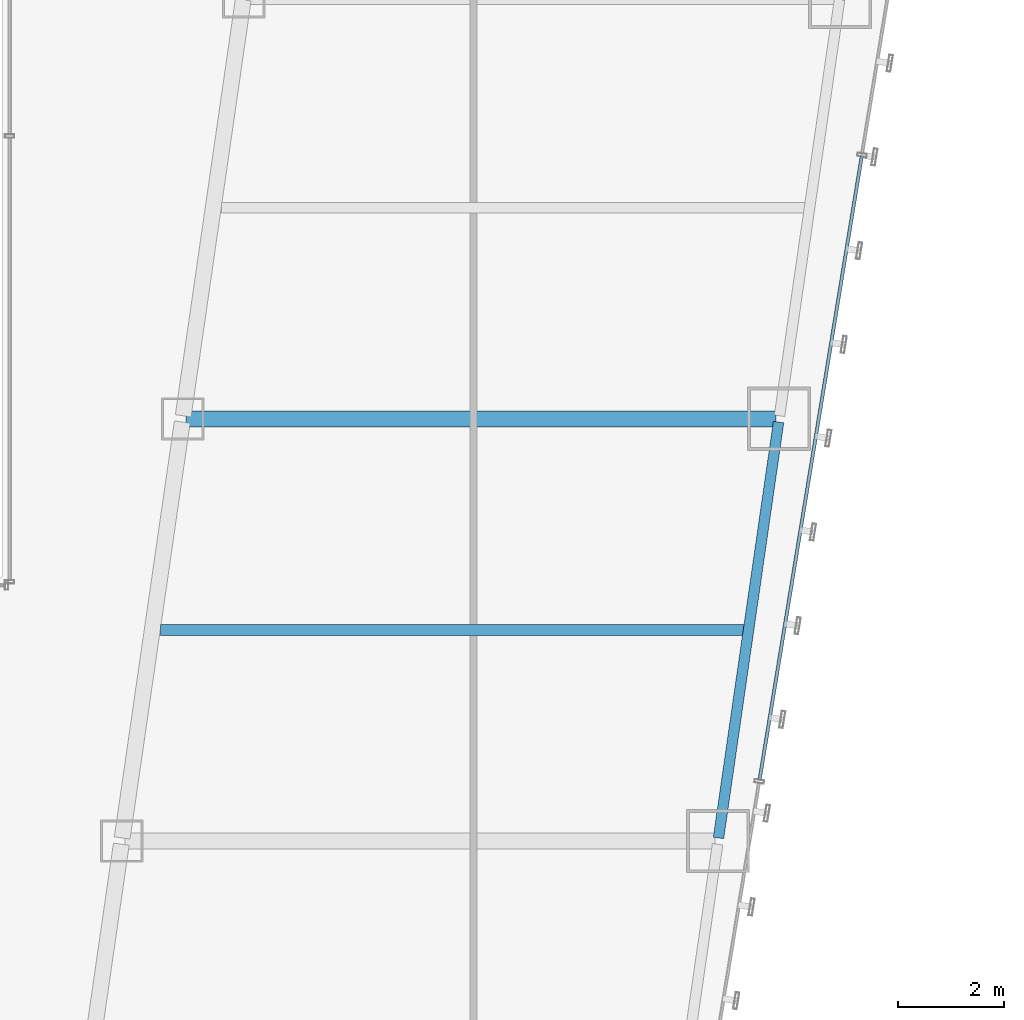
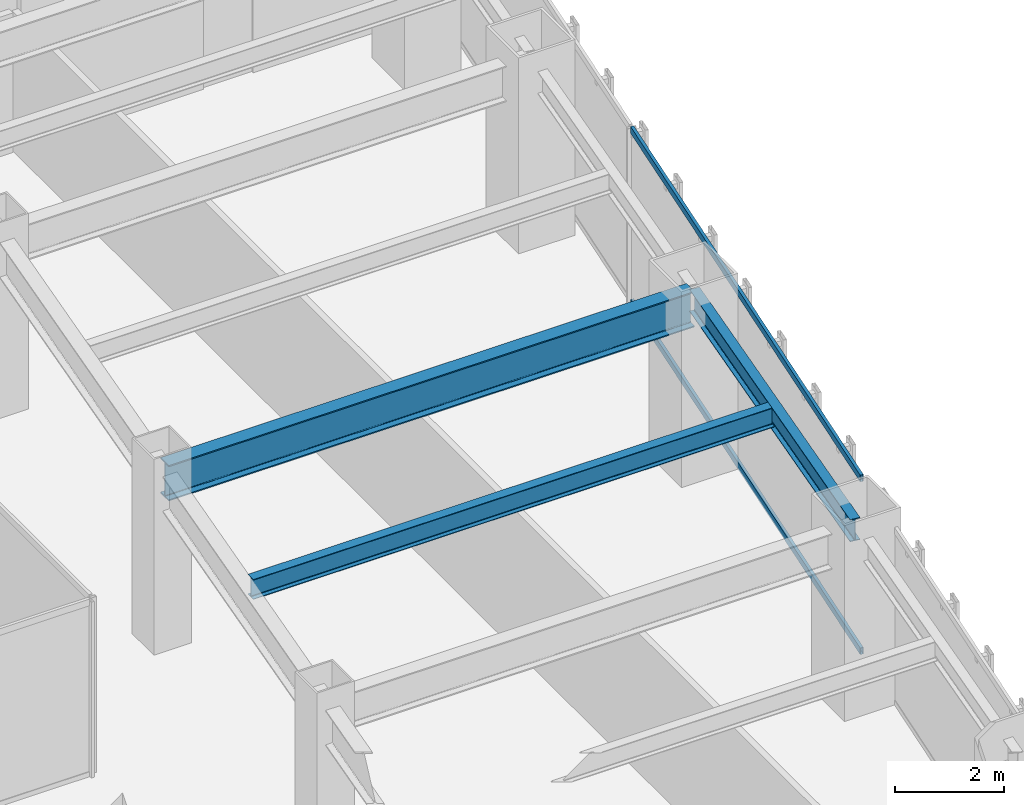
# One storey, part 19 of 47: 3 beams, 2 members, 1 element without a shape of its own.
"""IFC4 building model written with IfcOpenShell, lengths in metres."""

from ifc_helpers import new_model, si_unit, direction, frame, origin, origin_2d, place, context, subcontext, project, spatial, hollow_rectangle, i_section, extrude, material, material_profile, profile_set, type_object, element, aggregate, save


model = new_model("IFC4")

# Units and contexts
model_context = context("Model", 3, precision=1e-05, world=origin(), true_north=direction((0.0, 1.0)))
body_context = subcontext(model_context, "Body", "Model", "MODEL_VIEW")
ifc_project = project(units=[si_unit("LENGTHUNIT", "METRE"), si_unit("AREAUNIT", "SQUARE_METRE"), si_unit("VOLUMEUNIT", "CUBIC_METRE"), si_unit("PLANEANGLEUNIT", "RADIAN"), si_unit("MASSUNIT", "GRAM", prefix="KILO")], contexts=[model_context])

# Site, building, storey
site_placement = place(None, origin())
site = spatial("IfcSite", under=ifc_project, at=site_placement, CompositionType="ELEMENT")
building_placement = place(site_placement, origin())
building = spatial("IfcBuilding", under=site, at=building_placement, Name="Saevonmaru Cultural Tower", CompositionType="ELEMENT")
storey_placement = place(building_placement, frame((0.0, 0.0, 82.39990234375)))
storey = spatial("IfcBuildingStorey", under=building, at=storey_placement, Name="L17", CompositionType="ELEMENT", Elevation=82.39990234375)

# Beams
ifc_material_1 = material(Name="Steel SM420", Category="steel")
ifc_material_profile_1 = material_profile(ifc_material_1, i_section(OverallWidth=0.300048828125, OverallDepth=0.800048828125, WebThickness=0.013916015625, FlangeThickness=0.02587890625, FilletRadius=0.028076171875, at=origin_2d()), Name="H-800x300x14x26")
ifc_profile_set_1 = profile_set([ifc_material_profile_1], Name="Steel SM420")
beam_type_1 = type_object("IfcBeamType", Name="BM-G-H800", PredefinedType="BEAM", material=ifc_profile_set_1)
beam_1_placement = place(storey_placement, frame((39.2880859375, 24.0, 3.550048828125), z_axis=(1.0, 0.0, 0.0), x_axis=(0.0, 1.0, 0.0)))
element("IfcBeam", 1, at=beam_1_placement, inside=storey, type_object=beam_type_1, Name="L17 East Wing Transverse Girder 4", PredefinedType="BEAM", context=body_context, shape_type="SweptSolid", body=[
    extrude(i_section(OverallWidth=0.300048828125, OverallDepth=0.800048828125, WebThickness=0.013916015625, FlangeThickness=0.02587890625, FilletRadius=0.028076171875, at=origin_2d()), origin(), (0.0, 0.0, 1.0), 11.179931640625),
])
ifc_material_2 = material(Name="Steel SM355", Category="steel")
ifc_material_profile_2 = material_profile(ifc_material_2, i_section(OverallWidth=0.199951171875, OverallDepth=0.449951171875, WebThickness=0.009033203125, FlangeThickness=0.013916015625, FilletRadius=0.01806640625, at=origin_2d()), Name="H-450x200x9x14")
ifc_profile_set_2 = profile_set([ifc_material_profile_2], Name="Steel SM355")
beam_type_2 = type_object("IfcBeamType", Name="BM-J-H450", PredefinedType="JOIST", material=ifc_profile_set_2)
beam_2_placement = place(storey_placement, frame((38.80810546875, 20.0, 3.72509765625), z_axis=(1.0, 0.0, 0.0), x_axis=(0.0, 1.0, 0.0)))
element("IfcBeam", 2, at=beam_2_placement, inside=storey, type_object=beam_type_2, Name="L17 East Wing Floor Joist 3", PredefinedType="JOIST", context=body_context, shape_type="SweptSolid", body=[
    extrude(i_section(OverallWidth=0.199951171875, OverallDepth=0.449951171875, WebThickness=0.009033203125, FlangeThickness=0.013916015625, FilletRadius=0.01806640625, at=origin_2d()), origin(), (0.0, 0.0, 1.0), 11.081787109375),
])
ifc_material_profile_3 = material_profile(ifc_material_2, i_section(OverallWidth=0.199951171875, OverallDepth=0.5, WebThickness=0.010009765625, FlangeThickness=0.01611328125, FilletRadius=0.02001953125, at=origin_2d()), Name="H-500x200x10x16")
ifc_profile_set_3 = profile_set([ifc_material_profile_3], Name="Steel SM355")
beam_type_3 = type_object("IfcBeamType", Name="BM-SP-H500", PredefinedType="SPANDREL", material=ifc_profile_set_3)
beam_3_placement = place(storey_placement, frame((49.380615234375, 16.059326171875, 3.7001953125), z_axis=(0.142992129437, 0.989723825579, 0.0), x_axis=(-0.989723825579, 0.142992129437, 0.0)))
element("IfcBeam", 3, at=beam_3_placement, inside=storey, type_object=beam_type_3, Name="L17 East Splayed Spandrel 3", PredefinedType="SPANDREL", context=body_context, shape_type="SweptSolid", body=[
    extrude(i_section(OverallWidth=0.199951171875, OverallDepth=0.5, WebThickness=0.010009765625, FlangeThickness=0.01611328125, FilletRadius=0.02001953125, at=origin_2d()), origin(), (0.0, 0.0, 1.0), 7.963134765625),
])

# Curtain wall, members
ifc_material_3 = material(Name="Satin Bronze Anodised Aluminium", Category="aluminium")
curtain_wall_type = type_object("IfcCurtainWallType", Name="CW-TYP-A", PredefinedType="NOTDEFINED", material=ifc_material_3)
curtain_wall_placement = place(storey_placement, origin())
curtain_wall = element("IfcCurtainWall", 4, at=curtain_wall_placement, inside=storey, type_object=curtain_wall_type, Name="L17 Unitised Curtain Wall E8", PredefinedType="NOTDEFINED")
ifc_material_profile_4 = material_profile(ifc_material_3, hollow_rectangle(XDim=0.06494140625, YDim=0.14990234375, WallThickness=0.00390625, at=origin_2d()), Name="ALU-TRAN-150x65x4")
ifc_profile_set_4 = profile_set([ifc_material_profile_4], Name="Satin Bronze Anodised Aluminium")
member_type = type_object("IfcMemberType", Name="TR-CW-150x65", PredefinedType="USERDEFINED", material=ifc_profile_set_4)
member_1_placement = place(storey_placement, frame((50.16015625, 17.16162109375, 0.03271484375), z_axis=(0.161701400727, 0.986839732177, 0.0), x_axis=(-0.986839732177, 0.161701400727, 0.0)))
member_1 = element("IfcMember", 5, at=member_1_placement, type_object=member_type, Name="CW-TW-L17-E8 transom 2.1", ObjectType="TRANSOM", PredefinedType="USERDEFINED", context=body_context, shape_type="SweptSolid", body=[
    extrude(hollow_rectangle(XDim=0.06494140625, YDim=0.14990234375, WallThickness=0.00390625, at=origin_2d()), origin(), (0.0, 0.0, 1.0), 11.9638671875),
])
member_2_placement = place(storey_placement, frame((50.16015625, 17.16162109375, 3.91748046875), z_axis=(0.161701400727, 0.986839732177, 0.0), x_axis=(-0.986839732177, 0.161701400727, 0.0)))
member_2 = element("IfcMember", 6, at=member_2_placement, type_object=member_type, Name="CW-TW-L17-E8 transom 2.2", ObjectType="TRANSOM", PredefinedType="USERDEFINED", context=body_context, shape_type="SweptSolid", body=[
    extrude(hollow_rectangle(XDim=0.06494140625, YDim=0.14990234375, WallThickness=0.00390625, at=origin_2d()), origin(), (0.0, 0.0, 1.0), 11.9638671875),
])
aggregate(curtain_wall, [member_1, member_2])

save(model, "model.ifc")
